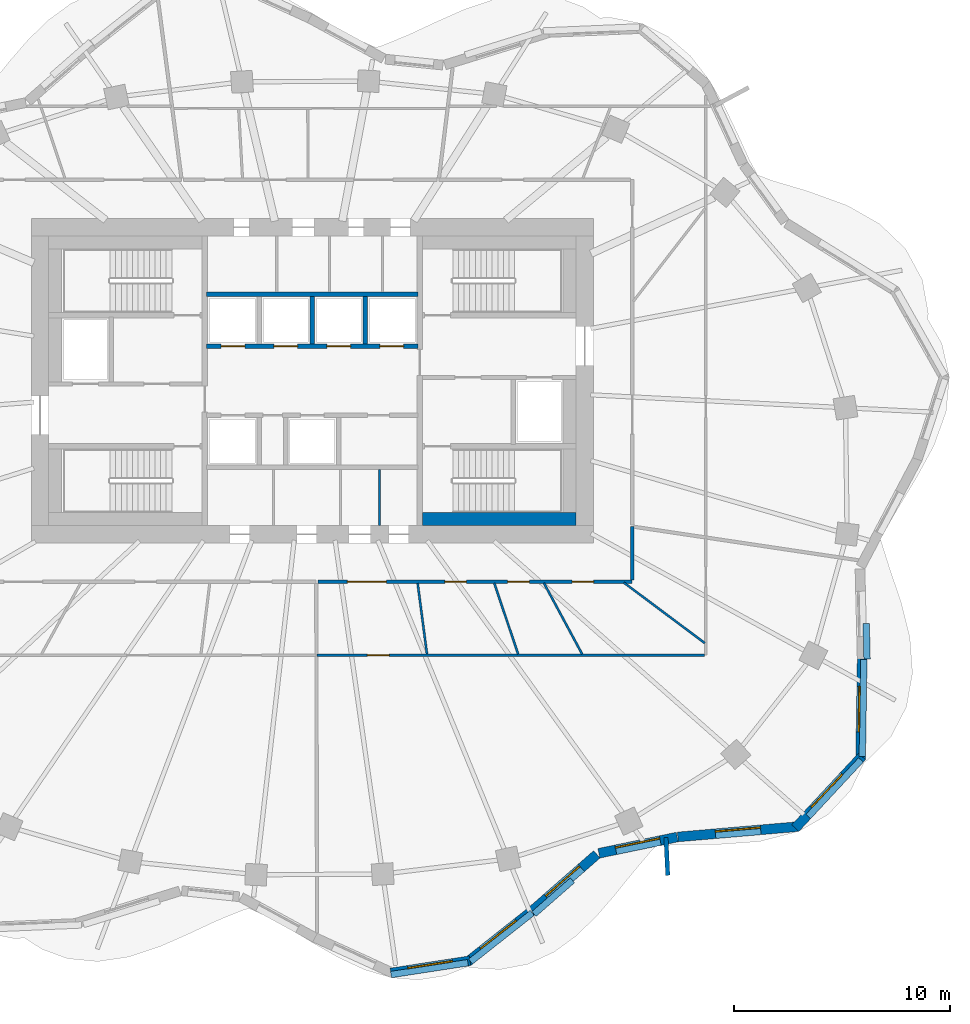
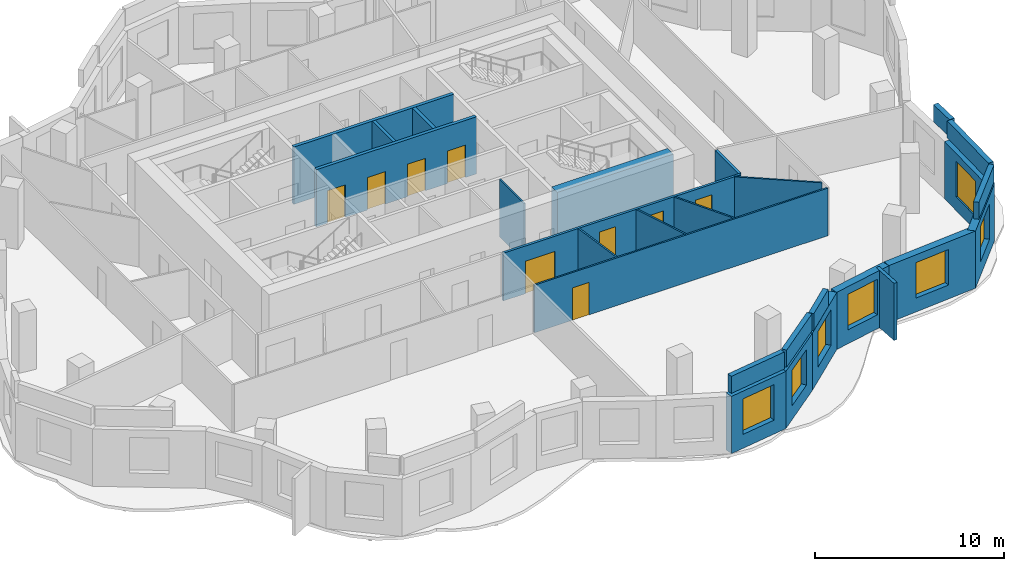
# One storey, part 5 of 9: 27 walls, 9 doors, 7 windows, 16 openings.
"""IFC4 building model written with IfcOpenShell, lengths in metres."""

from ifc_helpers import new_model, si_unit, direction, frame, frame_2d, origin, place, context, subcontext, project, spatial, rectangle, extrude, material, layer, layer_set, type_object, element, fill, save


model = new_model("IFC4")

# Units and contexts
model_context = context("Model", 3, precision=1e-05, world=origin(), true_north=direction((0.0, 1.0)))
body_context = subcontext(model_context, "Body", "Model", "MODEL_VIEW")
ifc_project = project(units=[si_unit("LENGTHUNIT", "METRE"), si_unit("AREAUNIT", "SQUARE_METRE"), si_unit("VOLUMEUNIT", "CUBIC_METRE"), si_unit("PLANEANGLEUNIT", "RADIAN"), si_unit("MASSUNIT", "GRAM", prefix="KILO")], contexts=[model_context])

# Site, building, storey
site_placement = place(None, origin())
site = spatial("IfcSite", under=ifc_project, at=site_placement, CompositionType="ELEMENT")
building_placement = place(site_placement, origin())
building = spatial("IfcBuilding", under=site, at=building_placement, Name="Rubra Terraces Tower", CompositionType="ELEMENT")
storey_placement = place(building_placement, frame((0.0, 0.0, 225.300048828125)))
storey = spatial("IfcBuildingStorey", under=building, at=storey_placement, Name="L55", CompositionType="ELEMENT", Elevation=225.300048828125)

# Wall, opening, window
ifc_material_1 = material(Name="Brick masonry red-brown", Category="masonry")
ifc_layer_1 = layer(ifc_material_1, 0.449951171875)
ifc_layer_set_1 = layer_set([ifc_layer_1], Name="Brick masonry red-brown")
wall_type_1 = type_object("IfcWallType", Name="Brick facade wall 450", PredefinedType="SOLIDWALL", material=ifc_layer_set_1)
wall_1_placement = place(storey_placement, frame((3.628662109375, -22.904541015625, 0.0), z_axis=(0.0, 0.0, 1.0), x_axis=(0.988300084321, 0.152521943772, 0.0)))
wall_1 = element("IfcWall", 1, at=wall_1_placement, inside=storey, type_object=wall_type_1, Name="Facade wall L55 bay 32", PredefinedType="SOLIDWALL", context=body_context, shape_type="SweptSolid", body=[
    extrude(rectangle(XDim=3.71044921875, YDim=0.449951171875, at=frame_2d((1.855224609375, 0.0))), origin(), (0.0, 0.0, 1.0), 3.699951171875),
])
opening_1_placement = place(wall_1_placement, frame((0.80517578125, 0.0, 0.89990234375)))
opening_1 = element("IfcOpeningElement", 2, at=opening_1_placement, cuts=wall_1, Name="Opening W1B", PredefinedType="OPENING", context=body_context, shape_type="SweptSolid", body=[
    extrude(rectangle(XDim=2.10009765625, YDim=2.300048828125, at=frame_2d((1.050048828125, 1.14990234375))), frame((0.0, 0.23486328125, 0.0), z_axis=(0.0, -1.0, 0.0), x_axis=(1.0, 0.0, 0.0)), (0.0, 0.0, 1.0), 0.469970703125),
])
ifc_material_2 = material(Name="Clear glass in aluminium frame", Category="aluminium")
window_type = type_object("IfcWindowType", Name="Fixed deep-set window tall storey 2100 x 2300", PartitioningType="SINGLE_PANEL", PredefinedType="WINDOW", material=ifc_material_2)
window_1_placement = place(opening_1_placement, origin())
window_1 = element("IfcWindow", 3, at=window_1_placement, inside=storey, type_object=window_type, Name="Window L55 bay 32", OverallHeight=2.300048828125, OverallWidth=2.10009765625, PartitioningType="SINGLE_PANEL", PredefinedType="WINDOW", context=body_context, shape_type="SweptSolid", body=[
    extrude(rectangle(XDim=2.10009765625, YDim=2.300048828125, at=frame_2d((1.050048828125, 1.14990234375))), frame((0.0, 0.135009765625, 0.0), z_axis=(0.0, -1.0, 0.0), x_axis=(1.0, 0.0, 0.0)), (0.0, 0.0, 1.0), 0.06005859375),
])
fill(opening_1, window_1)

wall_2_placement = place(storey_placement, frame((7.192626953125, -22.3828125, 0.0), z_axis=(0.0, 0.0, 1.0), x_axis=(0.784803291184, 0.619744942816, 0.0)))
wall_2 = element("IfcWall", 4, at=wall_2_placement, inside=storey, type_object=wall_type_1, Name="Facade wall L55 bay 33", PredefinedType="SOLIDWALL", context=body_context, shape_type="SweptSolid", body=[
    extrude(rectangle(XDim=3.774658203125, YDim=0.449951171875, at=frame_2d((1.88720703125, 0.0))), origin(), (0.0, 0.0, 1.0), 3.699951171875),
])
opening_2_placement = place(wall_2_placement, frame((0.83740234375, 0.0, 0.89990234375)))
opening_2 = element("IfcOpeningElement", 5, at=opening_2_placement, cuts=wall_2, Name="Opening W1B", PredefinedType="OPENING", context=body_context, shape_type="SweptSolid", body=[
    extrude(rectangle(XDim=2.10009765625, YDim=2.300048828125, at=frame_2d((1.050048828125, 1.14990234375))), frame((0.0, 0.23486328125, 0.0), z_axis=(0.0, -1.0, 0.0), x_axis=(1.0, 0.0, 0.0)), (0.0, 0.0, 1.0), 0.469970703125),
])
window_2_placement = place(opening_2_placement, origin())
window_2 = element("IfcWindow", 6, at=window_2_placement, inside=storey, type_object=window_type, Name="Window L55 bay 33", OverallHeight=2.300048828125, OverallWidth=2.10009765625, PartitioningType="SINGLE_PANEL", PredefinedType="WINDOW", context=body_context, shape_type="SweptSolid", body=[
    extrude(rectangle(XDim=2.10009765625, YDim=2.300048828125, at=frame_2d((1.050048828125, 1.14990234375))), frame((0.0, 0.135009765625, 0.0), z_axis=(0.0, -1.0, 0.0), x_axis=(1.0, 0.0, 0.0)), (0.0, 0.0, 1.0), 0.06005859375),
])
fill(opening_2, window_2)

wall_3_placement = place(storey_placement, frame((10.146484375, -20.050537109375, 0.0), z_axis=(0.0, 0.0, 1.0), x_axis=(0.753278140428, 0.657702093013, 0.0)))
wall_3 = element("IfcWall", 7, at=wall_3_placement, inside=storey, type_object=wall_type_1, Name="Facade wall L55 bay 34", PredefinedType="SOLIDWALL", context=body_context, shape_type="SweptSolid", body=[
    extrude(rectangle(XDim=4.0078125, YDim=0.449951171875, at=frame_2d((2.00390625, 0.0))), origin(), (0.0, 0.0, 1.0), 3.699951171875),
])
opening_3_placement = place(wall_3_placement, frame((0.9541015625, 0.0, 0.89990234375)))
opening_3 = element("IfcOpeningElement", 8, at=opening_3_placement, cuts=wall_3, Name="Opening W1B", PredefinedType="OPENING", context=body_context, shape_type="SweptSolid", body=[
    extrude(rectangle(XDim=2.10009765625, YDim=2.300048828125, at=frame_2d((1.050048828125, 1.14990234375))), frame((0.0, 0.23486328125, 0.0), z_axis=(0.0, -1.0, 0.0), x_axis=(1.0, 0.0, 0.0)), (0.0, 0.0, 1.0), 0.469970703125),
])
window_3_placement = place(opening_3_placement, origin())
window_3 = element("IfcWindow", 9, at=window_3_placement, inside=storey, type_object=window_type, Name="Window L55 bay 34", OverallHeight=2.300048828125, OverallWidth=2.10009765625, PartitioningType="SINGLE_PANEL", PredefinedType="WINDOW", context=body_context, shape_type="SweptSolid", body=[
    extrude(rectangle(XDim=2.10009765625, YDim=2.300048828125, at=frame_2d((1.050048828125, 1.14990234375))), frame((0.0, 0.135009765625, 0.0), z_axis=(0.0, -1.0, 0.0), x_axis=(1.0, 0.0, 0.0)), (0.0, 0.0, 1.0), 0.06005859375),
])
fill(opening_3, window_3)

wall_4_placement = place(storey_placement, frame((13.2578125, -17.3671875, 0.0), z_axis=(0.0, 0.0, 1.0), x_axis=(0.97914968674, 0.203140077183, 0.0)))
wall_4 = element("IfcWall", 10, at=wall_4_placement, inside=storey, type_object=wall_type_1, Name="Facade wall L55 bay 35", PredefinedType="SOLIDWALL", context=body_context, shape_type="SweptSolid", body=[
    extrude(rectangle(XDim=3.700439453125, YDim=0.449951171875, at=frame_2d((1.85009765625, 0.0))), origin(), (0.0, 0.0, 1.0), 3.699951171875),
])
opening_4_placement = place(wall_4_placement, frame((0.80029296875, 0.0, 0.89990234375)))
opening_4 = element("IfcOpeningElement", 11, at=opening_4_placement, cuts=wall_4, Name="Opening W1B", PredefinedType="OPENING", context=body_context, shape_type="SweptSolid", body=[
    extrude(rectangle(XDim=2.10009765625, YDim=2.300048828125, at=frame_2d((1.050048828125, 1.14990234375))), frame((0.0, 0.23486328125, 0.0), z_axis=(0.0, -1.0, 0.0), x_axis=(1.0, 0.0, 0.0)), (0.0, 0.0, 1.0), 0.469970703125),
])
window_4_placement = place(opening_4_placement, origin())
window_4 = element("IfcWindow", 12, at=window_4_placement, inside=storey, type_object=window_type, Name="Window L55 bay 35", OverallHeight=2.300048828125, OverallWidth=2.10009765625, PartitioningType="SINGLE_PANEL", PredefinedType="WINDOW", context=body_context, shape_type="SweptSolid", body=[
    extrude(rectangle(XDim=2.10009765625, YDim=2.300048828125, at=frame_2d((1.050048828125, 1.14990234375))), frame((0.0, 0.135009765625, 0.0), z_axis=(0.0, -1.0, 0.0), x_axis=(1.0, 0.0, 0.0)), (0.0, 0.0, 1.0), 0.06005859375),
])
fill(opening_4, window_4)

wall_5_placement = place(storey_placement, frame((16.91015625, -16.610107421875, 0.0), z_axis=(0.0, 0.0, 1.0), x_axis=(0.996333165816, 0.085558299972, 0.0)))
wall_5 = element("IfcWall", 13, at=wall_5_placement, inside=storey, type_object=wall_type_1, Name="Facade wall L55 bay 36", PredefinedType="SOLIDWALL", context=body_context, shape_type="SweptSolid", body=[
    extrude(rectangle(XDim=5.595703125, YDim=0.449951171875, at=frame_2d((2.7978515625, 0.0))), origin(), (0.0, 0.0, 1.0), 3.699951171875),
])
opening_5_placement = place(wall_5_placement, frame((1.747802734375, 0.0, 0.89990234375)))
opening_5 = element("IfcOpeningElement", 14, at=opening_5_placement, cuts=wall_5, Name="Opening W1B", PredefinedType="OPENING", context=body_context, shape_type="SweptSolid", body=[
    extrude(rectangle(XDim=2.10009765625, YDim=2.300048828125, at=frame_2d((1.050048828125, 1.14990234375))), frame((0.0, 0.23486328125, 0.0), z_axis=(0.0, -1.0, 0.0), x_axis=(1.0, 0.0, 0.0)), (0.0, 0.0, 1.0), 0.469970703125),
])
window_5_placement = place(opening_5_placement, origin())
window_5 = element("IfcWindow", 15, at=window_5_placement, inside=storey, type_object=window_type, Name="Window L55 bay 36", OverallHeight=2.300048828125, OverallWidth=2.10009765625, PartitioningType="SINGLE_PANEL", PredefinedType="WINDOW", context=body_context, shape_type="SweptSolid", body=[
    extrude(rectangle(XDim=2.10009765625, YDim=2.300048828125, at=frame_2d((1.050048828125, 1.14990234375))), frame((0.0, 0.135009765625, 0.0), z_axis=(0.0, -1.0, 0.0), x_axis=(1.0, 0.0, 0.0)), (0.0, 0.0, 1.0), 0.06005859375),
])
fill(opening_5, window_5)

wall_6_placement = place(storey_placement, frame((22.34521484375, -16.20166015625, 0.0), z_axis=(0.0, 0.0, 1.0), x_axis=(0.681249161265, 0.732051624051, 0.0)))
wall_6 = element("IfcWall", 16, at=wall_6_placement, inside=storey, type_object=wall_type_1, Name="Facade wall L55 bay 37", PredefinedType="SOLIDWALL", context=body_context, shape_type="SweptSolid", body=[
    extrude(rectangle(XDim=4.52685546875, YDim=0.449951171875, at=frame_2d((2.263427734375, 0.0))), origin(), (0.0, 0.0, 1.0), 3.699951171875),
])
opening_6_placement = place(wall_6_placement, frame((1.21337890625, 0.0, 0.89990234375)))
opening_6 = element("IfcOpeningElement", 17, at=opening_6_placement, cuts=wall_6, Name="Opening W1B", PredefinedType="OPENING", context=body_context, shape_type="SweptSolid", body=[
    extrude(rectangle(XDim=2.10009765625, YDim=2.300048828125, at=frame_2d((1.050048828125, 1.14990234375))), frame((0.0, 0.23486328125, 0.0), z_axis=(0.0, -1.0, 0.0), x_axis=(1.0, 0.0, 0.0)), (0.0, 0.0, 1.0), 0.469970703125),
])
window_6_placement = place(opening_6_placement, origin())
window_6 = element("IfcWindow", 18, at=window_6_placement, inside=storey, type_object=window_type, Name="Window L55 bay 37", OverallHeight=2.300048828125, OverallWidth=2.10009765625, PartitioningType="SINGLE_PANEL", PredefinedType="WINDOW", context=body_context, shape_type="SweptSolid", body=[
    extrude(rectangle(XDim=2.10009765625, YDim=2.300048828125, at=frame_2d((1.050048828125, 1.14990234375))), frame((0.0, 0.135009765625, 0.0), z_axis=(0.0, -1.0, 0.0), x_axis=(1.0, 0.0, 0.0)), (0.0, 0.0, 1.0), 0.06005859375),
])
fill(opening_6, window_6)

wall_7_placement = place(storey_placement, frame((25.369140625, -13.031982421875, 0.0), z_axis=(0.0, 0.0, 1.0), x_axis=(0.015383599855, 0.999881665426, 0.0)))
wall_7 = element("IfcWall", 19, at=wall_7_placement, inside=storey, type_object=wall_type_1, Name="Facade wall L55 bay 38", PredefinedType="SOLIDWALL", context=body_context, shape_type="SweptSolid", body=[
    extrude(rectangle(XDim=4.665771484375, YDim=0.449951171875, at=frame_2d((2.3330078125, 0.0))), origin(), (0.0, 0.0, 1.0), 3.699951171875),
])
opening_7_placement = place(wall_7_placement, frame((1.282958984375, 0.0, 0.89990234375)))
opening_7 = element("IfcOpeningElement", 20, at=opening_7_placement, cuts=wall_7, Name="Opening W1B", PredefinedType="OPENING", context=body_context, shape_type="SweptSolid", body=[
    extrude(rectangle(XDim=2.10009765625, YDim=2.300048828125, at=frame_2d((1.050048828125, 1.14990234375))), frame((0.0, 0.23486328125, 0.0), z_axis=(0.0, -1.0, 0.0), x_axis=(1.0, 0.0, 0.0)), (0.0, 0.0, 1.0), 0.469970703125),
])
window_7_placement = place(opening_7_placement, origin())
window_7 = element("IfcWindow", 21, at=window_7_placement, inside=storey, type_object=window_type, Name="Window L55 bay 38", OverallHeight=2.300048828125, OverallWidth=2.10009765625, PartitioningType="SINGLE_PANEL", PredefinedType="WINDOW", context=body_context, shape_type="SweptSolid", body=[
    extrude(rectangle(XDim=2.10009765625, YDim=2.300048828125, at=frame_2d((1.050048828125, 1.14990234375))), frame((0.0, 0.135009765625, 0.0), z_axis=(0.0, -1.0, 0.0), x_axis=(1.0, 0.0, 0.0)), (0.0, 0.0, 1.0), 0.06005859375),
])
fill(opening_7, window_7)

# Walls
ifc_layer_2 = layer(ifc_material_1, 0.300048828125)
ifc_layer_set_2 = layer_set([ifc_layer_2], Name="Brick masonry red-brown")
wall_type_2 = type_object("IfcWallType", Name="Brick parapet 300", PredefinedType="PARAPET", material=ifc_layer_set_2)
wall_8_placement = place(storey_placement, frame((3.64013671875, -22.978759765625, 3.89990234375), z_axis=(0.0, 0.0, 1.0), x_axis=(0.988299486994, 0.152525814235, 0.0)))
element("IfcWall", 22, at=wall_8_placement, inside=storey, type_object=wall_type_2, Name="Parapet L55 bay 32", PredefinedType="PARAPET", context=body_context, shape_type="SweptSolid", body=[
    extrude(rectangle(XDim=3.6015625, YDim=0.300048828125, at=frame_2d((1.80078125, 0.0))), origin(), (0.0, 0.0, 1.0), 1.10009765625),
])
wall_9_placement = place(storey_placement, frame((7.322509765625, -22.375732421875, 3.89990234375), z_axis=(0.0, 0.0, 1.0), x_axis=(0.784819122577, 0.61972489448, 0.0)))
element("IfcWall", 23, at=wall_9_placement, inside=storey, type_object=wall_type_2, Name="Parapet L55 bay 33", PredefinedType="PARAPET", context=body_context, shape_type="SweptSolid", body=[
    extrude(rectangle(XDim=3.63330078125, YDim=0.300048828125, at=frame_2d((1.816650390625, 0.0))), origin(), (0.0, 0.0, 1.0), 1.10009765625),
])
wall_10_placement = place(storey_placement, frame((10.252197265625, -20.17431640625, 3.89990234375), z_axis=(0.0, 0.0, 1.0), x_axis=(0.753260147018, 0.657722700622, 0.0)))
element("IfcWall", 24, at=wall_10_placement, inside=storey, type_object=wall_type_2, Name="Parapet L55 bay 34", PredefinedType="PARAPET", context=body_context, shape_type="SweptSolid", body=[
    extrude(rectangle(XDim=2.366455078125, YDim=0.300048828125, at=frame_2d((1.18310546875, 0.0))), origin(), (0.0, 0.0, 1.0), 1.10009765625),
])
wall_11_placement = place(storey_placement, frame((22.947509765625, -15.66455078125, 3.89990234375), z_axis=(0.0, 0.0, 1.0), x_axis=(0.681269800001, 0.732032417046, 0.0)))
element("IfcWall", 25, at=wall_11_placement, inside=storey, type_object=wall_type_2, Name="Parapet L55 bay 37", PredefinedType="PARAPET", context=body_context, shape_type="SweptSolid", body=[
    extrude(rectangle(XDim=3.578125, YDim=0.300048828125, at=frame_2d((1.7890625, 0.0))), origin(), (0.0, 0.0, 1.0), 1.10009765625),
])
wall_12_placement = place(storey_placement, frame((25.4462890625, -12.893310546875, 3.89990234375), z_axis=(0.0, 0.0, 1.0), x_axis=(0.015386139974, 0.999881626342, 0.0)))
element("IfcWall", 26, at=wall_12_placement, inside=storey, type_object=wall_type_2, Name="Parapet L55 bay 38", PredefinedType="PARAPET", context=body_context, shape_type="SweptSolid", body=[
    extrude(rectangle(XDim=4.490478515625, YDim=0.300048828125, at=frame_2d((2.2451171875, 0.0))), origin(), (0.0, 0.0, 1.0), 1.10009765625),
])
wall_13_placement = place(storey_placement, frame((25.665771484375, -8.375732421875, 3.89990234375), z_axis=(0.0, 0.0, 1.0), x_axis=(-0.024357650064, 0.999703308429, 0.0)))
element("IfcWall", 27, at=wall_13_placement, inside=storey, type_object=wall_type_2, Name="Parapet L55 bay 39", PredefinedType="PARAPET", context=body_context, shape_type="SweptSolid", body=[
    extrude(rectangle(XDim=1.643798828125, YDim=0.300048828125, at=frame_2d((0.82177734375, 0.0))), origin(), (0.0, 0.0, 1.0), 1.10009765625),
])
ifc_layer_3 = layer(ifc_material_1, 0.199951171875)
ifc_layer_set_3 = layer_set([ifc_layer_3], Name="Brick masonry red-brown")
wall_type_3 = type_object("IfcWallType", Name="Brick wind fin 200", PredefinedType="SOLIDWALL", material=ifc_layer_set_3)
wall_14_placement = place(storey_placement, frame((16.361083984375, -16.635986328125, 0.0), z_axis=(0.0, 0.0, 1.0), x_axis=(0.048552811097, -0.998820616795, 0.0)))
element("IfcWall", 28, at=wall_14_placement, inside=storey, type_object=wall_type_3, Name="Wind fin L55 21", PredefinedType="SOLIDWALL", context=body_context, shape_type="SweptSolid", body=[
    extrude(rectangle(XDim=1.749755859375, YDim=0.199951171875, at=frame_2d((0.875, 0.0))), origin(), (0.0, 0.0, 1.0), 3.699951171875),
])

# Wall, openings, doors
ifc_material_3 = material(Name="Plasterboard on steel stud, mineral wool infill", Category="steel")
ifc_layer_4 = layer(ifc_material_3, 0.14990234375)
ifc_layer_set_4 = layer_set([ifc_layer_4], Name="Plasterboard on steel stud, mineral wool infill")
wall_type_4 = type_object("IfcWallType", Name="CORRIDOR PARTITION 150", PredefinedType="PARTITIONING", material=ifc_layer_set_4)
wall_15_placement = place(storey_placement, frame((0.256103515625, -4.800048828125, 0.0), z_axis=(0.0, 0.0, 1.0), x_axis=(1.0, 0.0, 0.0)))
wall_15 = element("IfcWall", 29, at=wall_15_placement, inside=storey, type_object=wall_type_4, Name="PARTITION", PredefinedType="PARTITIONING", context=body_context, shape_type="SweptSolid", body=[
    extrude(rectangle(XDim=14.5439453125, YDim=0.14990234375, at=frame_2d((7.27197265625, 0.0))), origin(), (0.0, 0.0, 1.0), 3.083984375),
])
opening_8_placement = place(wall_15_placement, frame((1.365966796875, 0.0, 0.0)))
opening_8 = element("IfcOpeningElement", 30, at=opening_8_placement, cuts=wall_15, Name="Opening 55-109", PredefinedType="OPENING", context=body_context, shape_type="SweptSolid", body=[
    extrude(rectangle(XDim=1.800048828125, YDim=2.10009765625, at=frame_2d((0.89990234375, 1.050048828125))), frame((0.0, 0.0849609375, 0.0), z_axis=(0.0, -1.0, 0.0), x_axis=(1.0, 0.0, 0.0)), (0.0, 0.0, 1.0), 0.169921875),
])
opening_9_placement = place(wall_15_placement, frame((5.873046875, 0.0, 0.0)))
opening_9 = element("IfcOpeningElement", 31, at=opening_9_placement, cuts=wall_15, Name="Opening 55-111", PredefinedType="OPENING", context=body_context, shape_type="SweptSolid", body=[
    extrude(rectangle(XDim=1.0, YDim=2.39990234375, at=frame_2d((0.5, 1.199951171875))), frame((0.0, 0.0849609375, 0.0), z_axis=(0.0, -1.0, 0.0), x_axis=(1.0, 0.0, 0.0)), (0.0, 0.0, 1.0), 0.169921875),
])
opening_10_placement = place(wall_15_placement, frame((8.781005859375, 0.0, 0.0)))
opening_10 = element("IfcOpeningElement", 32, at=opening_10_placement, cuts=wall_15, Name="Opening 55-112", PredefinedType="OPENING", context=body_context, shape_type="SweptSolid", body=[
    extrude(rectangle(XDim=1.0, YDim=2.39990234375, at=frame_2d((0.5, 1.199951171875))), frame((0.0, 0.0849609375, 0.0), z_axis=(0.0, -1.0, 0.0), x_axis=(1.0, 0.0, 0.0)), (0.0, 0.0, 1.0), 0.169921875),
])
opening_11_placement = place(wall_15_placement, frame((11.762939453125, 0.0, 0.0)))
opening_11 = element("IfcOpeningElement", 33, at=opening_11_placement, cuts=wall_15, Name="Opening 55-113", PredefinedType="OPENING", context=body_context, shape_type="SweptSolid", body=[
    extrude(rectangle(XDim=1.0, YDim=2.39990234375, at=frame_2d((0.5, 1.199951171875))), frame((0.0, 0.0849609375, 0.0), z_axis=(0.0, -1.0, 0.0), x_axis=(1.0, 0.0, 0.0)), (0.0, 0.0, 1.0), 0.169921875),
])
ifc_material_4 = material(Name="Glazed aluminium meeting door leaf", Category="aluminium")
door_type_1 = type_object("IfcDoorType", Name="MEETING ROOM GLAZED DOOR 1000 X 2400", OperationType="SINGLE_SWING_LEFT", PredefinedType="DOOR", material=ifc_material_4)
door_1_placement = place(opening_9_placement, origin())
door_1 = element("IfcDoor", 34, at=door_1_placement, inside=storey, type_object=door_type_1, Name="DOOR 55-111", OperationType="SINGLE_SWING_RIGHT", OverallHeight=2.39990234375, OverallWidth=1.0, PredefinedType="DOOR", context=body_context, shape_type="SweptSolid", body=[
    extrude(rectangle(XDim=1.0, YDim=2.39990234375, at=frame_2d((0.5, 1.199951171875))), frame((0.0, 0.02490234375, 0.0), z_axis=(0.0, -1.0, 0.0), x_axis=(1.0, 0.0, 0.0)), (0.0, 0.0, 1.0), 0.050048828125),
])
fill(opening_9, door_1)
door_2_placement = place(opening_10_placement, origin())
door_2 = element("IfcDoor", 35, at=door_2_placement, inside=storey, type_object=door_type_1, Name="DOOR 55-112", OperationType="SINGLE_SWING_RIGHT", OverallHeight=2.39990234375, OverallWidth=1.0, PredefinedType="DOOR", context=body_context, shape_type="SweptSolid", body=[
    extrude(rectangle(XDim=1.0, YDim=2.39990234375, at=frame_2d((0.5, 1.199951171875))), frame((0.0, 0.02490234375, 0.0), z_axis=(0.0, -1.0, 0.0), x_axis=(1.0, 0.0, 0.0)), (0.0, 0.0, 1.0), 0.050048828125),
])
fill(opening_10, door_2)
door_3_placement = place(opening_11_placement, origin())
door_3 = element("IfcDoor", 36, at=door_3_placement, inside=storey, type_object=door_type_1, Name="DOOR 55-113", OperationType="SINGLE_SWING_RIGHT", OverallHeight=2.39990234375, OverallWidth=1.0, PredefinedType="DOOR", context=body_context, shape_type="SweptSolid", body=[
    extrude(rectangle(XDim=1.0, YDim=2.39990234375, at=frame_2d((0.5, 1.199951171875))), frame((0.0, 0.02490234375, 0.0), z_axis=(0.0, -1.0, 0.0), x_axis=(1.0, 0.0, 0.0)), (0.0, 0.0, 1.0), 0.050048828125),
])
fill(opening_11, door_3)
ifc_material_5 = material(Name="Painted timber door leaf, double", Category="wood")
door_type_2 = type_object("IfcDoorType", Name="ROOM DOUBLE DOOR 1800 X 2100", OperationType="DOUBLE_DOOR_SINGLE_SWING", PredefinedType="DOOR", material=ifc_material_5)
door_4_placement = place(opening_8_placement, origin())
door_4 = element("IfcDoor", 37, at=door_4_placement, inside=storey, type_object=door_type_2, Name="DOOR 55-109", OperationType="DOUBLE_DOOR_SINGLE_SWING", OverallHeight=2.10009765625, OverallWidth=1.800048828125, PredefinedType="DOOR", context=body_context, shape_type="SweptSolid", body=[
    extrude(rectangle(XDim=1.800048828125, YDim=2.10009765625, at=frame_2d((0.89990234375, 1.050048828125))), frame((0.0, 0.02490234375, 0.0), z_axis=(0.0, -1.0, 0.0), x_axis=(1.0, 0.0, 0.0)), (0.0, 0.0, 1.0), 0.050048828125),
])
fill(opening_8, door_4)

# Walls
wall_16_placement = place(storey_placement, frame((14.800048828125, -4.72509765625, 0.0), z_axis=(0.0, 0.0, 1.0), x_axis=(0.0, 1.0, 0.0)))
element("IfcWall", 38, at=wall_16_placement, inside=storey, type_object=wall_type_4, Name="PARTITION", PredefinedType="PARTITIONING", context=body_context, shape_type="SweptSolid", body=[
    extrude(rectangle(XDim=2.47900390625, YDim=0.14990234375, at=frame_2d((1.239501953125, 0.0))), origin(), (0.0, 0.0, 1.0), 3.083984375),
])
ifc_material_6 = material(Name="Concrete C40", Category="concrete")
ifc_layer_5 = layer(ifc_material_6, 0.60009765625)
ifc_layer_set_5 = layer_set([ifc_layer_5], Name="Concrete C40")
wall_type_5 = type_object("IfcWallType", Name="Core lining wall 600 concrete", PredefinedType="SOLIDWALL", material=ifc_layer_set_5)
wall_17_placement = place(storey_placement, frame((12.199951171875, -1.89990234375, 0.0), z_axis=(0.0, 0.0, 1.0), x_axis=(-1.0, 0.0, 0.0)))
element("IfcWall", 39, at=wall_17_placement, inside=storey, type_object=wall_type_5, Name="CORE LINING WALL L55", PredefinedType="SOLIDWALL", context=body_context, shape_type="SweptSolid", body=[
    extrude(rectangle(XDim=7.099853515625, YDim=0.60009765625, at=frame_2d((3.5498046875, 0.0))), origin(), (0.0, 0.0, 1.0), 3.699951171875),
])

# Wall, openings, doors
ifc_material_7 = material(Name="Concrete C30", Category="concrete")
ifc_layer_6 = layer(ifc_material_7, 0.199951171875)
ifc_layer_set_6 = layer_set([ifc_layer_6], Name="Concrete C30")
wall_type_6 = type_object("IfcWallType", Name="Core wall 200 concrete", PredefinedType="SOLIDWALL", material=ifc_layer_set_6)
wall_18_placement = place(storey_placement, frame((-4.89990234375, 6.10009765625, 0.0), z_axis=(0.0, 0.0, 1.0), x_axis=(1.0, 0.0, 0.0)))
wall_18 = element("IfcWall", 40, at=wall_18_placement, inside=storey, type_object=wall_type_6, Name="LIFT SHAFT WALL L55", PredefinedType="SOLIDWALL", context=body_context, shape_type="SweptSolid", body=[
    extrude(rectangle(XDim=9.7998046875, YDim=0.199951171875, at=frame_2d((4.89990234375, 0.0))), origin(), (0.0, 0.0, 1.0), 3.699951171875),
])
opening_12_placement = place(wall_18_placement, frame((0.675048828125, 0.0, 0.0)))
opening_12 = element("IfcOpeningElement", 41, at=opening_12_placement, cuts=wall_18, Name="Opening L55.C17", PredefinedType="OPENING", context=body_context, shape_type="SweptSolid", body=[
    extrude(rectangle(XDim=1.10009765625, YDim=2.10009765625, at=frame_2d((0.550048828125, 1.050048828125))), frame((0.0, 0.10986328125, 0.0), z_axis=(0.0, -1.0, 0.0), x_axis=(1.0, 0.0, 0.0)), (0.0, 0.0, 1.0), 0.219970703125),
])
opening_13_placement = place(wall_18_placement, frame((3.125, 0.0, 0.0)))
opening_13 = element("IfcOpeningElement", 42, at=opening_13_placement, cuts=wall_18, Name="Opening L55.C18", PredefinedType="OPENING", context=body_context, shape_type="SweptSolid", body=[
    extrude(rectangle(XDim=1.10009765625, YDim=2.10009765625, at=frame_2d((0.550048828125, 1.050048828125))), frame((0.0, 0.10986328125, 0.0), z_axis=(0.0, -1.0, 0.0), x_axis=(1.0, 0.0, 0.0)), (0.0, 0.0, 1.0), 0.219970703125),
])
opening_14_placement = place(wall_18_placement, frame((5.574951171875, 0.0, 0.0)))
opening_14 = element("IfcOpeningElement", 43, at=opening_14_placement, cuts=wall_18, Name="Opening L55.C19", PredefinedType="OPENING", context=body_context, shape_type="SweptSolid", body=[
    extrude(rectangle(XDim=1.10009765625, YDim=2.10009765625, at=frame_2d((0.550048828125, 1.050048828125))), frame((0.0, 0.10986328125, 0.0), z_axis=(0.0, -1.0, 0.0), x_axis=(1.0, 0.0, 0.0)), (0.0, 0.0, 1.0), 0.219970703125),
])
opening_15_placement = place(wall_18_placement, frame((8.02490234375, 0.0, 0.0)))
opening_15 = element("IfcOpeningElement", 44, at=opening_15_placement, cuts=wall_18, Name="Opening L55.C20", PredefinedType="OPENING", context=body_context, shape_type="SweptSolid", body=[
    extrude(rectangle(XDim=1.10009765625, YDim=2.10009765625, at=frame_2d((0.550048828125, 1.050048828125))), frame((0.0, 0.10986328125, 0.0), z_axis=(0.0, -1.0, 0.0), x_axis=(1.0, 0.0, 0.0)), (0.0, 0.0, 1.0), 0.219970703125),
])
ifc_material_8 = material(Name="Stainless steel", Category="steel")
door_type_3 = type_object("IfcDoorType", Name="Lift landing door 1100x2100", OperationType="NOTDEFINED", PredefinedType="DOOR", material=ifc_material_8)
door_5_placement = place(opening_12_placement, origin())
door_5 = element("IfcDoor", 45, at=door_5_placement, inside=storey, type_object=door_type_3, Name="Landing door HB3", OperationType="SLIDING_TO_RIGHT", OverallHeight=2.10009765625, OverallWidth=1.10009765625, PredefinedType="DOOR", context=body_context, shape_type="SweptSolid", body=[
    extrude(rectangle(XDim=1.10009765625, YDim=2.10009765625, at=frame_2d((0.550048828125, 1.050048828125))), frame((0.0, 0.02490234375, 0.0), z_axis=(0.0, -1.0, 0.0), x_axis=(1.0, 0.0, 0.0)), (0.0, 0.0, 1.0), 0.050048828125),
])
fill(opening_12, door_5)
door_6_placement = place(opening_13_placement, origin())
door_6 = element("IfcDoor", 46, at=door_6_placement, inside=storey, type_object=door_type_3, Name="Landing door HB4", OperationType="SLIDING_TO_LEFT", OverallHeight=2.10009765625, OverallWidth=1.10009765625, PredefinedType="DOOR", context=body_context, shape_type="SweptSolid", body=[
    extrude(rectangle(XDim=1.10009765625, YDim=2.10009765625, at=frame_2d((0.550048828125, 1.050048828125))), frame((0.0, 0.02490234375, 0.0), z_axis=(0.0, -1.0, 0.0), x_axis=(1.0, 0.0, 0.0)), (0.0, 0.0, 1.0), 0.050048828125),
])
fill(opening_13, door_6)
door_7_placement = place(opening_14_placement, origin())
door_7 = element("IfcDoor", 47, at=door_7_placement, inside=storey, type_object=door_type_3, Name="Landing door HB5", OperationType="SLIDING_TO_RIGHT", OverallHeight=2.10009765625, OverallWidth=1.10009765625, PredefinedType="DOOR", context=body_context, shape_type="SweptSolid", body=[
    extrude(rectangle(XDim=1.10009765625, YDim=2.10009765625, at=frame_2d((0.550048828125, 1.050048828125))), frame((0.0, 0.02490234375, 0.0), z_axis=(0.0, -1.0, 0.0), x_axis=(1.0, 0.0, 0.0)), (0.0, 0.0, 1.0), 0.050048828125),
])
fill(opening_14, door_7)
door_8_placement = place(opening_15_placement, origin())
door_8 = element("IfcDoor", 48, at=door_8_placement, inside=storey, type_object=door_type_3, Name="Landing door HB6", OperationType="SLIDING_TO_LEFT", OverallHeight=2.10009765625, OverallWidth=1.10009765625, PredefinedType="DOOR", context=body_context, shape_type="SweptSolid", body=[
    extrude(rectangle(XDim=1.10009765625, YDim=2.10009765625, at=frame_2d((0.550048828125, 1.050048828125))), frame((0.0, 0.02490234375, 0.0), z_axis=(0.0, -1.0, 0.0), x_axis=(1.0, 0.0, 0.0)), (0.0, 0.0, 1.0), 0.050048828125),
])
fill(opening_15, door_8)

# Walls
wall_19_placement = place(storey_placement, frame((-4.89990234375, 8.5, 0.0), z_axis=(0.0, 0.0, 1.0), x_axis=(1.0, 0.0, 0.0)))
element("IfcWall", 49, at=wall_19_placement, inside=storey, type_object=wall_type_6, Name="LIFT SHAFT WALL L55", PredefinedType="SOLIDWALL", context=body_context, shape_type="SweptSolid", body=[
    extrude(rectangle(XDim=9.7998046875, YDim=0.199951171875, at=frame_2d((4.89990234375, 0.0))), origin(), (0.0, 0.0, 1.0), 3.699951171875),
])
for number, where, z_axis, x_axis, name in (
    (50, (0.0, 6.199951171875, 0.0), (0.0, 0.0, 1.0), (0.0, 1.0, 0.0), "LIFT SHAFT WALL L55"),
    (51, (2.449951171875, 6.199951171875, 0.0), (0.0, 0.0, 1.0), (0.0, 1.0, 0.0), "LIFT SHAFT WALL L55"),
):
    element("IfcWall", number, at=place(storey_placement, frame(where, z_axis=z_axis, x_axis=x_axis)), inside=storey, type_object=wall_type_6, Name=name, PredefinedType="SOLIDWALL", context=body_context, shape_type="SweptSolid", body=[
        extrude(rectangle(XDim=2.199951171875, YDim=0.199951171875, at=frame_2d((1.10009765625, 0.0))), origin(), (0.0, 0.0, 1.0), 3.699951171875),
    ])

# Wall, opening, door
ifc_material_9 = material(Name="Plasterboard on steel stud", Category="steel")
ifc_layer_7 = layer(ifc_material_9, 0.10009765625)
ifc_layer_set_7 = layer_set([ifc_layer_7], Name="Plasterboard on steel stud")
wall_type_7 = type_object("IfcWallType", Name="ROOM PARTITION 100", PredefinedType="PARTITIONING", material=ifc_layer_set_7)
wall_20_placement = place(storey_placement, frame((18.14990234375, -8.199951171875, 0.0), z_axis=(0.0, 0.0, 1.0), x_axis=(-1.0, 0.0, 0.0)))
wall_20 = element("IfcWall", 52, at=wall_20_placement, inside=storey, type_object=wall_type_7, Name="PARTITION", PredefinedType="PARTITIONING", context=body_context, shape_type="SweptSolid", body=[
    extrude(rectangle(XDim=17.94091796875, YDim=0.10009765625, at=frame_2d((8.970458984375, 0.0))), origin(), (0.0, 0.0, 1.0), 3.083984375),
])
opening_16_placement = place(wall_20_placement, frame((14.60107421875, 0.0, 0.0)))
opening_16 = element("IfcOpeningElement", 53, at=opening_16_placement, cuts=wall_20, Name="Opening 55-110", PredefinedType="OPENING", context=body_context, shape_type="SweptSolid", body=[
    extrude(rectangle(XDim=1.0, YDim=2.10009765625, at=frame_2d((0.5, 1.050048828125))), frame((0.0, 0.06005859375, 0.0), z_axis=(0.0, -1.0, 0.0), x_axis=(1.0, 0.0, 0.0)), (0.0, 0.0, 1.0), 0.1201171875),
])
ifc_material_10 = material(Name="Painted timber door leaf", Category="wood")
door_type_4 = type_object("IfcDoorType", Name="ROOM DOOR 1000 X 2100", OperationType="SINGLE_SWING_LEFT", PredefinedType="DOOR", material=ifc_material_10)
door_9_placement = place(opening_16_placement, origin())
door_9 = element("IfcDoor", 54, at=door_9_placement, inside=storey, type_object=door_type_4, Name="DOOR 55-110", OperationType="SINGLE_SWING_LEFT", OverallHeight=2.10009765625, OverallWidth=1.0, PredefinedType="DOOR", context=body_context, shape_type="SweptSolid", body=[
    extrude(rectangle(XDim=1.0, YDim=2.10009765625, at=frame_2d((0.5, 1.050048828125))), frame((0.0, 0.02490234375, 0.0), z_axis=(0.0, -1.0, 0.0), x_axis=(1.0, 0.0, 0.0)), (0.0, 0.0, 1.0), 0.050048828125),
])
fill(opening_16, door_9)

# Walls
wall_21_placement = place(storey_placement, frame((4.873046875, -4.87451171875, 0.0), z_axis=(0.0, 0.0, 1.0), x_axis=(0.13048891715, -0.991449768017, 0.0)))
element("IfcWall", 55, at=wall_21_placement, inside=storey, type_object=wall_type_7, Name="PARTITION", PredefinedType="PARTITIONING", context=body_context, shape_type="SweptSolid", body=[
    extrude(rectangle(XDim=3.30419921875, YDim=0.10009765625, at=frame_2d((1.652099609375, 0.0))), origin(), (0.0, 0.0, 1.0), 3.083984375),
])
wall_22_placement = place(storey_placement, frame((8.41845703125, -4.87109375, 0.0), z_axis=(0.0, 0.0, 1.0), x_axis=(0.319060884331, -0.947734220175, 0.0)))
element("IfcWall", 56, at=wall_22_placement, inside=storey, type_object=wall_type_7, Name="PARTITION", PredefinedType="PARTITIONING", context=body_context, shape_type="SweptSolid", body=[
    extrude(rectangle(XDim=3.46240234375, YDim=0.10009765625, at=frame_2d((1.731201171875, 0.0))), origin(), (0.0, 0.0, 1.0), 3.083984375),
])
wall_23_placement = place(storey_placement, frame((10.7158203125, -4.865966796875, 0.0), z_axis=(0.0, 0.0, 1.0), x_axis=(0.474084238022, -0.880479491674, 0.0)))
element("IfcWall", 57, at=wall_23_placement, inside=storey, type_object=wall_type_7, Name="PARTITION", PredefinedType="PARTITIONING", context=body_context, shape_type="SweptSolid", body=[
    extrude(rectangle(XDim=3.736572265625, YDim=0.10009765625, at=frame_2d((1.8681640625, 0.0))), origin(), (0.0, 0.0, 1.0), 3.083984375),
])
wall_24_placement = place(storey_placement, frame((14.417236328125, -4.844970703125, 0.0), z_axis=(0.0, 0.0, 1.0), x_axis=(0.801114846058, -0.598510654396, 0.0)))
element("IfcWall", 58, at=wall_24_placement, inside=storey, type_object=wall_type_7, Name="PARTITION", PredefinedType="PARTITIONING", context=body_context, shape_type="SweptSolid", body=[
    extrude(rectangle(XDim=4.671875, YDim=0.10009765625, at=frame_2d((2.3359375, 0.0))), origin(), (0.0, 0.0, 1.0), 3.083984375),
])
ifc_material_11 = material(Name="Blockwork", Category="masonry")
ifc_layer_8 = layer(ifc_material_11, 0.10009765625)
ifc_layer_set_8 = layer_set([ifc_layer_8], Name="Blockwork")
wall_type_8 = type_object("IfcWallType", Name="Service partition 100 blockwork", PredefinedType="PARTITIONING", material=ifc_layer_set_8)
wall_25_placement = place(storey_placement, frame((3.10009765625, -2.199951171875, 0.0), z_axis=(0.0, 0.0, 1.0), x_axis=(0.0, 1.0, 0.0)))
element("IfcWall", 59, at=wall_25_placement, inside=storey, type_object=wall_type_8, Name="SERVICE ROOM PARTITION L55", PredefinedType="PARTITIONING", context=body_context, shape_type="SweptSolid", body=[
    extrude(rectangle(XDim=2.599853515625, YDim=0.10009765625, at=frame_2d((1.2998046875, 0.0))), origin(), (0.0, 0.0, 1.0), 3.699951171875),
])

save(model, "model.ifc")
